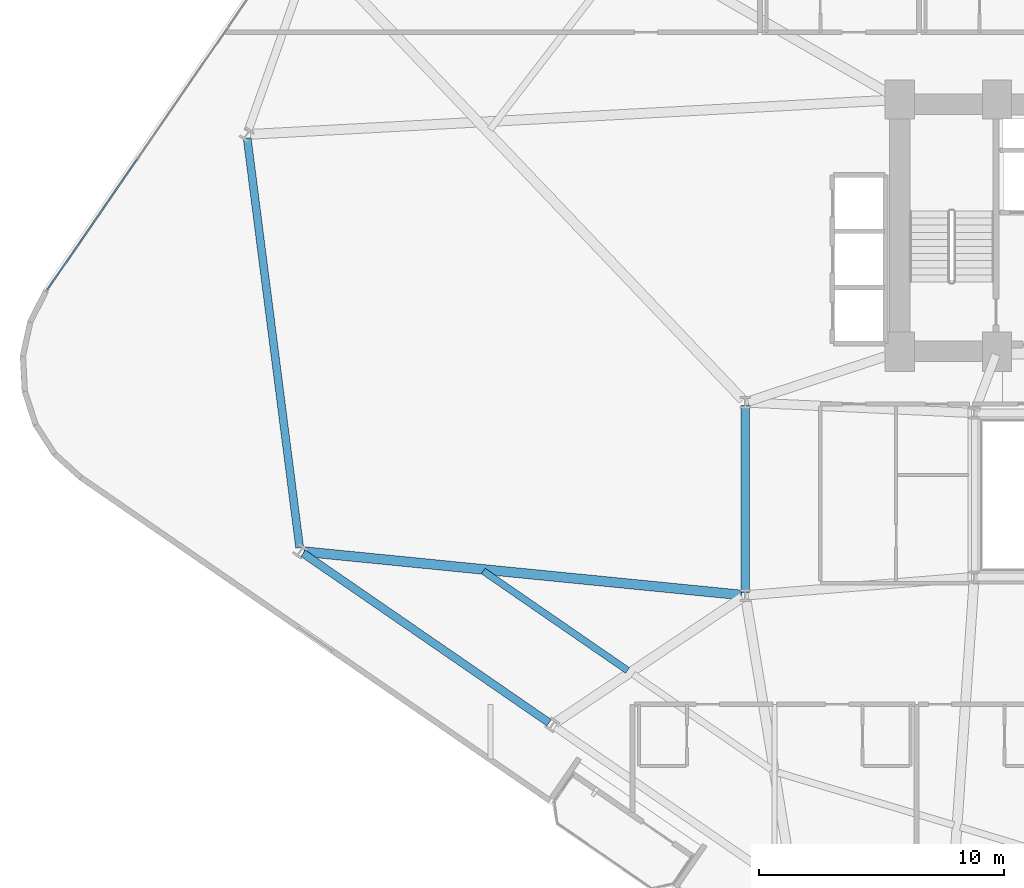
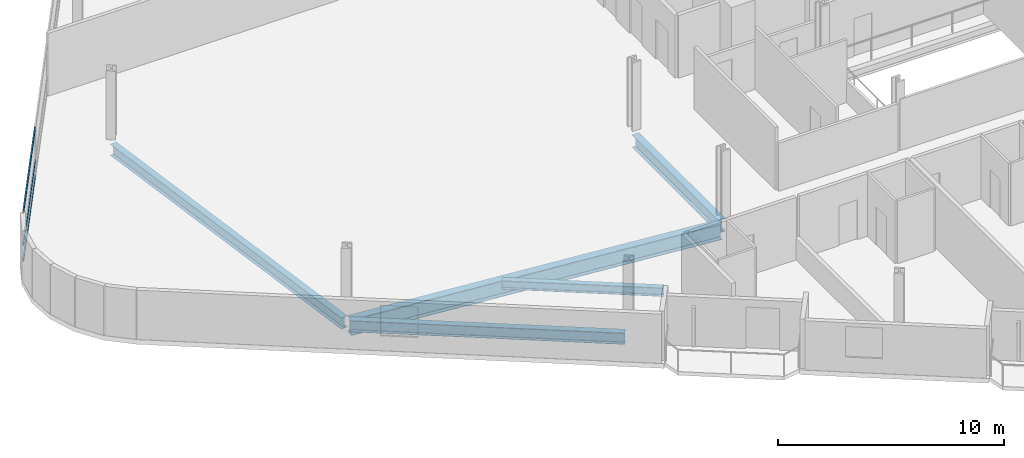
# One storey, part 3 of 24: 5 beams, 3 members, 1 element without a shape of its own.
"""IFC4 building model written with IfcOpenShell, lengths in metres."""

import ifcopenshell
import ifcopenshell.guid

model = None  # the IFC model being written
_history = None  # IfcOwnerHistory: only IFC2X3 demands one
_inside = {}  # id of a spatial element -> (the spatial element, [elements in it])
_under = {}  # id of a project, library or spatial element -> (it, [spatial elements below it])
_declared = {}  # id of a project -> (the project, [libraries it declares])
_typed = {}  # id of a type object -> (the type object, [elements of that type])
_made_of = {}  # id of a material, layer set ... -> (it, [elements and type objects made of it])


def new_model(schema):
    """Start an empty IFC model of exactly this schema.

    Asked for "IFC4X3", IfcOpenShell would pick the latest addendum, in which some entities
    have other attributes; the version numbers below select the first issue.
    IFC2X3 requires an IfcOwnerHistory on every rooted entity: one is made here for all.
    """
    global model, _history
    if schema == "IFC4X3":
        model = ifcopenshell.file(schema_version=(4, 3, 0, 0))
    else:
        model = ifcopenshell.file(schema=schema)
    _inside.clear()
    _under.clear()
    _declared.clear()
    _typed.clear()
    _made_of.clear()
    _history = None
    if model.schema == "IFC2X3":
        org = make("IfcOrganization", Name="unknown")
        user = make(
            "IfcPersonAndOrganization",
            ThePerson=make("IfcPerson", FamilyName="unknown"),
            TheOrganization=org,
        )
        app = make(
            "IfcApplication",
            ApplicationDeveloper=org,
            Version="unknown",
            ApplicationFullName="unknown",
            ApplicationIdentifier="unknown",
        )
        _history = make(
            "IfcOwnerHistory",
            OwningUser=user,
            OwningApplication=app,
            ChangeAction="ADDED",
            CreationDate=0,
        )
    return model


def make(cls, **values):
    """One entity of the class cls with the attributes given. An attribute that is None is left unset."""
    return model.create_entity(
        cls, **{name: value for name, value in values.items() if value is not None}
    )


def rooted(cls, **values):
    """An entity with a GlobalId (a new one), such as an element, a storey or a relation."""
    return make(cls, GlobalId=ifcopenshell.guid.new(), OwnerHistory=_history, **values)


def si_unit(unit_type, name, prefix=None):
    """IfcSIUnit, for example si_unit("LENGTHUNIT", "METRE", prefix="MILLI")."""
    return make("IfcSIUnit", UnitType=unit_type, Prefix=prefix, Name=name)


def assignment(units):
    """IfcUnitAssignment: the units of a project."""
    return None if units is None else make("IfcUnitAssignment", Units=units)


def point(xyz):
    """IfcCartesianPoint."""
    return None if xyz is None else make("IfcCartesianPoint", Coordinates=xyz)


def direction(xyz):
    """IfcDirection."""
    return None if xyz is None else make("IfcDirection", DirectionRatios=xyz)


def frame(location, z_axis=None, x_axis=None):
    """IfcAxis2Placement3D, a coordinate frame: its origin and axes. An axis left out is left unset."""
    return make(
        "IfcAxis2Placement3D",
        Location=point(location),
        Axis=direction(z_axis),
        RefDirection=direction(x_axis),
    )


def frame_2d(location, x_axis=None):
    """IfcAxis2Placement2D, a coordinate frame in the plane: its origin and x axis."""
    return make(
        "IfcAxis2Placement2D", Location=point(location), RefDirection=direction(x_axis)
    )


def origin():
    """The frame at (0, 0, 0) with its axes left unset."""
    return frame((0.0, 0.0, 0.0))


def origin_2d():
    """The frame at (0, 0) in the plane with its x axis left unset."""
    return frame_2d((0.0, 0.0))


def place(relative_to, where):
    """IfcLocalPlacement: puts the frame where relative to a parent placement (None: the world)."""
    return make(
        "IfcLocalPlacement", PlacementRelTo=relative_to, RelativePlacement=where
    )


def context(
    kind, dimensions, precision=None, world=None, true_north=None, identifier=None
):
    """IfcGeometricRepresentationContext, for example the 3D "Model" context."""
    return make(
        "IfcGeometricRepresentationContext",
        ContextIdentifier=identifier,
        ContextType=kind,
        CoordinateSpaceDimension=dimensions,
        Precision=precision,
        WorldCoordinateSystem=world,
        TrueNorth=true_north,
    )


def subcontext(parent, identifier, kind, view, scale=None):
    """IfcGeometricRepresentationSubContext, for example "Body" below "Model"."""
    return make(
        "IfcGeometricRepresentationSubContext",
        ContextIdentifier=identifier,
        ContextType=kind,
        ParentContext=parent,
        TargetScale=scale,
        TargetView=view,
    )


def project(units=None, contexts=None):
    """IfcProject with its units and contexts."""
    return rooted(
        "IfcProject",
        Name="project",
        RepresentationContexts=contexts,
        UnitsInContext=assignment(units),
    )


def spatial(cls, under=None, at=None, **own):
    """A site, building, storey or space (cls), placed at a placement, below another one or the project."""
    s = rooted(cls, ObjectPlacement=at, **own)
    if under is not None:
        _under.setdefault(under.id(), (under, []))[1].append(s)
    return s


def profile(cls, at=None, kind="AREA", **sizes):
    """A parametric profile (cls). Its sizes go by their IFC names, for example OverallWidth=200.0."""
    return make(cls, ProfileType=kind, Position=at, **sizes)


def hollow_rectangle(**sizes):
    """IfcRectangleHollowProfileDef."""
    return profile("IfcRectangleHollowProfileDef", **sizes)


def i_section(**sizes):
    """IfcIShapeProfileDef."""
    return profile("IfcIShapeProfileDef", **sizes)


def extrude(swept, where, along, depth):
    """IfcExtrudedAreaSolid: the profile swept, set in the frame where, extruded along a direction by depth."""
    return make(
        "IfcExtrudedAreaSolid",
        SweptArea=swept,
        Position=where,
        ExtrudedDirection=direction(along),
        Depth=depth,
    )


def shape(context_of_items, identifier, shape_type, items):
    """IfcShapeRepresentation: the items that make up one representation, for example the "Body"."""
    return make(
        "IfcShapeRepresentation",
        ContextOfItems=context_of_items,
        RepresentationIdentifier=identifier,
        RepresentationType=shape_type,
        Items=items,
    )


def material(Name=None, Category=None):
    """IfcMaterial."""
    return make("IfcMaterial", Name=Name, Category=Category)


def layer(
    of_material, thickness, ventilated=None, Name=None, Category=None, Priority=None
):
    """IfcMaterialLayer: one layer of a wall or slab, of a material (None: an air gap)."""
    return make(
        "IfcMaterialLayer",
        Material=of_material,
        LayerThickness=thickness,
        IsVentilated=ventilated,
        Name=Name,
        Category=Category,
        Priority=Priority,
    )


def layer_set(layers, Name=None):
    """IfcMaterialLayerSet."""
    return make("IfcMaterialLayerSet", MaterialLayers=layers, LayerSetName=Name)


def material_profile(
    of_material, cross_section, Name=None, Category=None, Priority=None
):
    """IfcMaterialProfile: a cross section and its material."""
    return make(
        "IfcMaterialProfile",
        Name=Name,
        Material=of_material,
        Profile=cross_section,
        Priority=Priority,
        Category=Category,
    )


def profile_set(profiles, Name=None, composite=None):
    """IfcMaterialProfileSet."""
    return make(
        "IfcMaterialProfileSet",
        Name=Name,
        MaterialProfiles=profiles,
        CompositeProfile=composite,
    )


def made_of(thing, what):
    """Note that an element or type object is made of a material, layer set ...; save() writes the relation."""
    if what is not None:
        _made_of.setdefault(what.id(), (what, []))[1].append(thing)
    return thing


def type_object(cls, material=None, **own):
    """A type object (cls), such as IfcWallType, which elements share."""
    return made_of(rooted(cls, **own), material)


def element(
    cls,
    number,
    at=None,
    inside=None,
    cuts=None,
    type_object=None,
    material=None,
    context=None,
    identifier="Body",
    shape_type=None,
    held_by="IfcProductDefinitionShape",
    body=None,
    shapes=None,
    **own,
):
    """One element of the class cls, such as IfcWall. Its Tag is "e" and its number.

    at: its placement. inside: the storey or other place that contains it. cuts: it is an
    opening in that element (IfcRelVoidsElement). A single representation is given by context,
    identifier, shape_type and body (its items); several are given by shapes. held_by: the class
    of the entity that holds the representations. save() writes the other relations.
    """
    e = rooted(cls, Tag="e%d" % number, ObjectPlacement=at, **own)
    if body is not None:
        shapes = [shape(context, identifier, shape_type, body)]
    if shapes is not None:
        e.Representation = make(held_by, Representations=shapes)
    if inside is not None:
        _inside.setdefault(inside.id(), (inside, []))[1].append(e)
    if cuts is not None:
        rooted(
            "IfcRelVoidsElement", RelatingBuildingElement=cuts, RelatedOpeningElement=e
        )
    if type_object is not None:
        _typed.setdefault(type_object.id(), (type_object, []))[1].append(e)
    return made_of(e, material)


def aggregate(whole, parts):
    """IfcRelAggregates: a whole, such as a stair, and the parts it consists of."""
    return rooted("IfcRelAggregates", RelatingObject=whole, RelatedObjects=parts)


def save(model, path):
    """Write the relations noted so far, then the file.

    IfcRelAggregates (storeys below a building ...), IfcRelContainedInSpatialStructure (elements
    in a storey), IfcRelDefinesByType, IfcRelAssociatesMaterial and IfcRelDeclares: one each for
    every whole, place, type object, material and project.
    """
    for whole, parts in _under.values():
        aggregate(whole, parts)
    for where, things in _inside.values():
        rooted(
            "IfcRelContainedInSpatialStructure",
            RelatedElements=things,
            RelatingStructure=where,
        )
    for kind, things in _typed.values():
        rooted("IfcRelDefinesByType", RelatedObjects=things, RelatingType=kind)
    for what, things in _made_of.values():
        rooted("IfcRelAssociatesMaterial", RelatedObjects=things, RelatingMaterial=what)
    for by, libraries in _declared.values():
        rooted("IfcRelDeclares", RelatingContext=by, RelatedDefinitions=libraries)
    model.write(path)


model = new_model("IFC4")

# Units and contexts
model_context = context("Model", 3, precision=1e-05, world=origin(), true_north=direction((0.0, 1.0)))
body_context = subcontext(model_context, "Body", "Model", "MODEL_VIEW")
ifc_project = project(units=[si_unit("LENGTHUNIT", "METRE"), si_unit("AREAUNIT", "SQUARE_METRE"), si_unit("VOLUMEUNIT", "CUBIC_METRE"), si_unit("PLANEANGLEUNIT", "RADIAN"), si_unit("MASSUNIT", "GRAM", prefix="KILO")], contexts=[model_context])

# Site, building, storey
site_placement = place(None, origin())
site = spatial("IfcSite", under=ifc_project, at=site_placement, CompositionType="ELEMENT")
building_placement = place(site_placement, origin())
building = spatial("IfcBuilding", under=site, at=building_placement, Name="Varnelok Gate Tower", CompositionType="ELEMENT")
storey_placement = place(building_placement, frame((0.0, 0.0, 67.699951171875)))
storey = spatial("IfcBuildingStorey", under=building, at=storey_placement, Name="L16", CompositionType="ELEMENT", Elevation=67.699951171875)

# Beams
ifc_material_1 = material(Name="Structural Steel ASTM A992 Grade 50", Category="steel")
ifc_material_profile_1 = material_profile(ifc_material_1, i_section(OverallWidth=0.280029296875, OverallDepth=0.462890625, WebThickness=0.0107421875, FlangeThickness=0.017333984375, FilletRadius=0.014892578125, at=origin_2d()), Name="W18X76")
ifc_profile_set_1 = profile_set([ifc_material_profile_1], Name="Structural Steel ASTM A992 Grade 50")
beam_type_1 = type_object("IfcBeamType", Name="BM-JST-W18X76", PredefinedType="JOIST", material=ifc_profile_set_1)
beam_1_placement = place(storey_placement, frame((13.69482421875, 19.793212890625, -0.4814453125), z_axis=(0.823532034116, -0.567269767205, 0.0), x_axis=(0.567269767205, 0.823532034116, 0.0)))
element("IfcBeam", 1, at=beam_1_placement, inside=storey, type_object=beam_type_1, Name="L16 Sector Floor Joist 1", PredefinedType="JOIST", context=body_context, shape_type="SweptSolid", body=[
    extrude(i_section(OverallWidth=0.280029296875, OverallDepth=0.462890625, WebThickness=0.0107421875, FlangeThickness=0.017333984375, FilletRadius=0.014892578125, at=origin_2d()), origin(), (0.0, 0.0, 1.0), 7.15771484375),
])
ifc_material_profile_2 = material_profile(ifc_material_1, i_section(OverallWidth=0.35498046875, OverallDepth=0.696044921875, WebThickness=0.015380859375, FlangeThickness=0.02490234375, FilletRadius=0.02001953125, at=origin_2d()), Name="W27X146")
ifc_profile_set_2 = profile_set([ifc_material_profile_2], Name="Structural Steel ASTM A992 Grade 50")
beam_type_2 = type_object("IfcBeamType", Name="BM-PRI-W27X146", PredefinedType="BEAM", material=ifc_profile_set_2)
beam_2_placement = place(storey_placement, frame((24.39990234375, 18.919921875, -0.597900390625), z_axis=(0.0, 1.0, 0.0), x_axis=(-1.0, 0.0, 0.0)))
element("IfcBeam", 2, at=beam_2_placement, inside=storey, type_object=beam_type_2, Name="L16 Core-Atrium Spine Beam 16", PredefinedType="BEAM", context=body_context, shape_type="SweptSolid", body=[
    extrude(i_section(OverallWidth=0.35498046875, OverallDepth=0.696044921875, WebThickness=0.015380859375, FlangeThickness=0.02490234375, FilletRadius=0.02001953125, at=origin_2d()), origin(), (0.0, 0.0, 1.0), 7.64013671875),
])
ifc_material_profile_3 = material_profile(ifc_material_1, i_section(OverallWidth=0.39892578125, OverallDepth=0.85498046875, WebThickness=0.018310546875, FlangeThickness=0.029296875, FilletRadius=0.02392578125, at=origin_2d()), Name="W33X201")
ifc_profile_set_3 = profile_set([ifc_material_profile_3], Name="Structural Steel ASTM A992 Grade 50")
beam_type_3 = type_object("IfcBeamType", Name="BM-PRI-W33X201", PredefinedType="BEAM", material=ifc_profile_set_3)
beam_3_placement = place(storey_placement, frame((24.250732421875, 18.814697265625, -0.677490234375), z_axis=(-0.995122218733, 0.098649732815, 0.0), x_axis=(-0.098649732815, -0.995122218733, 0.0)))
element("IfcBeam", 3, at=beam_3_placement, inside=storey, type_object=beam_type_3, Name="L16 Radial Floor Girder 1", PredefinedType="BEAM", context=body_context, shape_type="SweptSolid", body=[
    extrude(i_section(OverallWidth=0.39892578125, OverallDepth=0.85498046875, WebThickness=0.018310546875, FlangeThickness=0.029296875, FilletRadius=0.02392578125, at=origin_2d()), origin(), (0.0, 0.0, 1.0), 17.974609375),
])
ifc_material_profile_4 = material_profile(ifc_material_1, i_section(OverallWidth=0.323974609375, OverallDepth=0.611083984375, WebThickness=0.0126953125, FlangeThickness=0.01904296875, FilletRadius=0.01806640625, at=origin_2d()), Name="W24X104")
ifc_profile_set_4 = profile_set([ifc_material_profile_4], Name="Structural Steel ASTM A992 Grade 50")
beam_type_4 = type_object("IfcBeamType", Name="BM-SPN-W24X104", PredefinedType="SPANDREL", material=ifc_profile_set_4)
beam_4_placement = place(storey_placement, frame((6.337890625, 20.517578125, -0.555419921875), z_axis=(0.823540632156, -0.567257284826, 0.0), x_axis=(0.567257284826, 0.823540632156, 0.0)))
element("IfcBeam", 4, at=beam_4_placement, inside=storey, type_object=beam_type_4, Name="L16 Perimeter Spandrel Beam 1", PredefinedType="SPANDREL", context=body_context, shape_type="SweptSolid", body=[
    extrude(i_section(OverallWidth=0.323974609375, OverallDepth=0.611083984375, WebThickness=0.0126953125, FlangeThickness=0.01904296875, FilletRadius=0.01806640625, at=origin_2d()), origin(), (0.0, 0.0, 1.0), 12.2001953125),
])
beam_5_placement = place(storey_placement, frame((4.05224609375, 37.47509765625, -0.555419921875), z_axis=(0.127106601297, -0.991889062298, 0.0), x_axis=(0.991889062298, 0.127106601297, 0.0)))
element("IfcBeam", 5, at=beam_5_placement, inside=storey, type_object=beam_type_4, Name="L16 Perimeter Spandrel Beam 16", PredefinedType="SPANDREL", context=body_context, shape_type="SweptSolid", body=[
    extrude(i_section(OverallWidth=0.323974609375, OverallDepth=0.611083984375, WebThickness=0.0126953125, FlangeThickness=0.01904296875, FilletRadius=0.01806640625, at=origin_2d()), origin(), (0.0, 0.0, 1.0), 16.8603515625),
])

# Curtain wall, members
ifc_material_2 = material(Name="Anodized Aluminum Alloy 6063-T6", Category="aluminium")
ifc_layer = layer(ifc_material_2, 0.179931640625)
ifc_layer_set = layer_set([ifc_layer], Name="Anodized Aluminum Alloy 6063-T6")
curtain_wall_type = type_object("IfcCurtainWallType", Name="CW3-HOTEL-VISION", PredefinedType="USERDEFINED", material=ifc_layer_set)
curtain_wall_placement = place(storey_placement, origin())
curtain_wall = element("IfcCurtainWall", 6, at=curtain_wall_placement, inside=storey, type_object=curtain_wall_type, Name="L16 West End Vision Curtain Wall", ObjectType="UNITISED CURTAIN WALL", PredefinedType="USERDEFINED")
ifc_material_profile_5 = material_profile(ifc_material_2, hollow_rectangle(XDim=0.06494140625, YDim=0.159912109375, WallThickness=0.00390625, at=origin_2d()), Name="ALU160X65X4")
ifc_profile_set_5 = profile_set([ifc_material_profile_5], Name="Anodized Aluminum Alloy 6063-T6")
member_type = type_object("IfcMemberType", Name="CW-TRAN-160", PredefinedType="USERDEFINED", material=ifc_profile_set_5)
member_1_placement = place(storey_placement, frame((-4.10546875, 31.287353515625, 0.032470703125), z_axis=(0.567255754851, 0.823541686006, 0.0), x_axis=(-0.823541686006, 0.567255754851, 0.0)))
member_1 = element("IfcMember", 7, at=member_1_placement, type_object=member_type, Name="CW3 transom 1.1", ObjectType="TRANSOM", PredefinedType="USERDEFINED", context=body_context, shape_type="SweptSolid", body=[
    extrude(hollow_rectangle(XDim=0.06494140625, YDim=0.159912109375, WallThickness=0.00390625, at=origin_2d()), origin(), (0.0, 0.0, 1.0), 6.46923828125),
])
member_2_placement = place(storey_placement, frame((-4.10546875, 31.287353515625, 0.900146484375), z_axis=(0.567255754851, 0.823541686006, 0.0), x_axis=(-0.823541686006, 0.567255754851, 0.0)))
member_2 = element("IfcMember", 8, at=member_2_placement, type_object=member_type, Name="CW3 transom 1.2", ObjectType="TRANSOM", PredefinedType="USERDEFINED", context=body_context, shape_type="SweptSolid", body=[
    extrude(hollow_rectangle(XDim=0.06494140625, YDim=0.159912109375, WallThickness=0.00390625, at=origin_2d()), origin(), (0.0, 0.0, 1.0), 6.46923828125),
])
member_3_placement = place(storey_placement, frame((-4.10546875, 31.287353515625, 2.62744140625), z_axis=(0.567255754851, 0.823541686006, 0.0), x_axis=(-0.823541686006, 0.567255754851, 0.0)))
member_3 = element("IfcMember", 9, at=member_3_placement, type_object=member_type, Name="CW3 transom 1.3", ObjectType="TRANSOM", PredefinedType="USERDEFINED", context=body_context, shape_type="SweptSolid", body=[
    extrude(hollow_rectangle(XDim=0.06494140625, YDim=0.159912109375, WallThickness=0.00390625, at=origin_2d()), origin(), (0.0, 0.0, 1.0), 6.46923828125),
])
aggregate(curtain_wall, [member_1, member_2, member_3])

save(model, "model.ifc")
